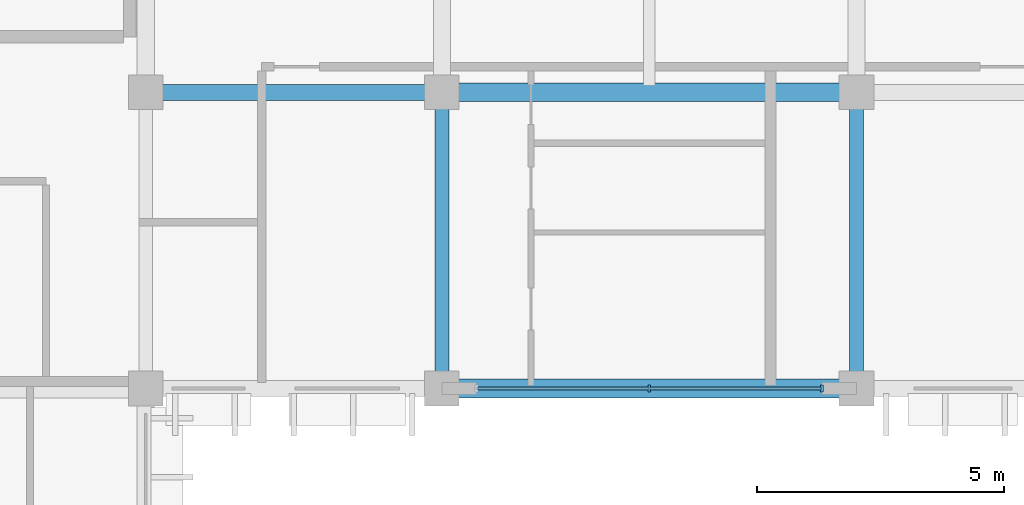
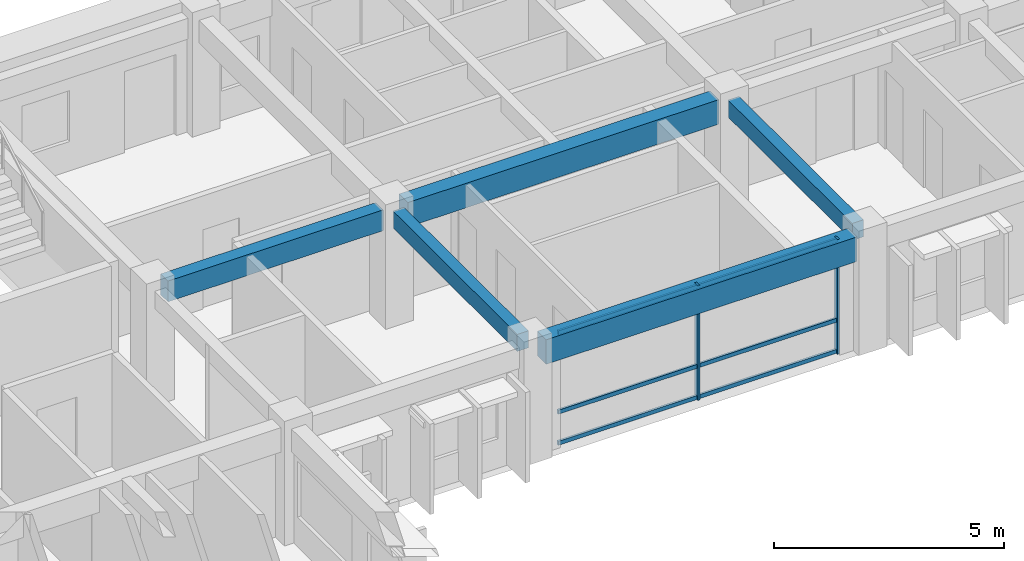
# One storey, part 10 of 79: 5 beams, 5 members, 1 element without a shape of its own.
"""IFC4 building model written with IfcOpenShell, lengths in metres."""

import ifcopenshell
import ifcopenshell.guid

model = None  # the IFC model being written
_history = None  # IfcOwnerHistory: only IFC2X3 demands one
_inside = {}  # id of a spatial element -> (the spatial element, [elements in it])
_under = {}  # id of a project, library or spatial element -> (it, [spatial elements below it])
_declared = {}  # id of a project -> (the project, [libraries it declares])
_typed = {}  # id of a type object -> (the type object, [elements of that type])
_made_of = {}  # id of a material, layer set ... -> (it, [elements and type objects made of it])


def new_model(schema):
    """Start an empty IFC model of exactly this schema.

    Asked for "IFC4X3", IfcOpenShell would pick the latest addendum, in which some entities
    have other attributes; the version numbers below select the first issue.
    IFC2X3 requires an IfcOwnerHistory on every rooted entity: one is made here for all.
    """
    global model, _history
    if schema == "IFC4X3":
        model = ifcopenshell.file(schema_version=(4, 3, 0, 0))
    else:
        model = ifcopenshell.file(schema=schema)
    _inside.clear()
    _under.clear()
    _declared.clear()
    _typed.clear()
    _made_of.clear()
    _history = None
    if model.schema == "IFC2X3":
        org = make("IfcOrganization", Name="unknown")
        user = make(
            "IfcPersonAndOrganization",
            ThePerson=make("IfcPerson", FamilyName="unknown"),
            TheOrganization=org,
        )
        app = make(
            "IfcApplication",
            ApplicationDeveloper=org,
            Version="unknown",
            ApplicationFullName="unknown",
            ApplicationIdentifier="unknown",
        )
        _history = make(
            "IfcOwnerHistory",
            OwningUser=user,
            OwningApplication=app,
            ChangeAction="ADDED",
            CreationDate=0,
        )
    return model


def make(cls, **values):
    """One entity of the class cls with the attributes given. An attribute that is None is left unset."""
    return model.create_entity(
        cls, **{name: value for name, value in values.items() if value is not None}
    )


def rooted(cls, **values):
    """An entity with a GlobalId (a new one), such as an element, a storey or a relation."""
    return make(cls, GlobalId=ifcopenshell.guid.new(), OwnerHistory=_history, **values)


def si_unit(unit_type, name, prefix=None):
    """IfcSIUnit, for example si_unit("LENGTHUNIT", "METRE", prefix="MILLI")."""
    return make("IfcSIUnit", UnitType=unit_type, Prefix=prefix, Name=name)


def assignment(units):
    """IfcUnitAssignment: the units of a project."""
    return None if units is None else make("IfcUnitAssignment", Units=units)


def point(xyz):
    """IfcCartesianPoint."""
    return None if xyz is None else make("IfcCartesianPoint", Coordinates=xyz)


def direction(xyz):
    """IfcDirection."""
    return None if xyz is None else make("IfcDirection", DirectionRatios=xyz)


def frame(location, z_axis=None, x_axis=None):
    """IfcAxis2Placement3D, a coordinate frame: its origin and axes. An axis left out is left unset."""
    return make(
        "IfcAxis2Placement3D",
        Location=point(location),
        Axis=direction(z_axis),
        RefDirection=direction(x_axis),
    )


def frame_2d(location, x_axis=None):
    """IfcAxis2Placement2D, a coordinate frame in the plane: its origin and x axis."""
    return make(
        "IfcAxis2Placement2D", Location=point(location), RefDirection=direction(x_axis)
    )


def origin():
    """The frame at (0, 0, 0) with its axes left unset."""
    return frame((0.0, 0.0, 0.0))


def origin_2d():
    """The frame at (0, 0) in the plane with its x axis left unset."""
    return frame_2d((0.0, 0.0))


def place(relative_to, where):
    """IfcLocalPlacement: puts the frame where relative to a parent placement (None: the world)."""
    return make(
        "IfcLocalPlacement", PlacementRelTo=relative_to, RelativePlacement=where
    )


def context(
    kind, dimensions, precision=None, world=None, true_north=None, identifier=None
):
    """IfcGeometricRepresentationContext, for example the 3D "Model" context."""
    return make(
        "IfcGeometricRepresentationContext",
        ContextIdentifier=identifier,
        ContextType=kind,
        CoordinateSpaceDimension=dimensions,
        Precision=precision,
        WorldCoordinateSystem=world,
        TrueNorth=true_north,
    )


def subcontext(parent, identifier, kind, view, scale=None):
    """IfcGeometricRepresentationSubContext, for example "Body" below "Model"."""
    return make(
        "IfcGeometricRepresentationSubContext",
        ContextIdentifier=identifier,
        ContextType=kind,
        ParentContext=parent,
        TargetScale=scale,
        TargetView=view,
    )


def project(units=None, contexts=None):
    """IfcProject with its units and contexts."""
    return rooted(
        "IfcProject",
        Name="project",
        RepresentationContexts=contexts,
        UnitsInContext=assignment(units),
    )


def spatial(cls, under=None, at=None, **own):
    """A site, building, storey or space (cls), placed at a placement, below another one or the project."""
    s = rooted(cls, ObjectPlacement=at, **own)
    if under is not None:
        _under.setdefault(under.id(), (under, []))[1].append(s)
    return s


def profile(cls, at=None, kind="AREA", **sizes):
    """A parametric profile (cls). Its sizes go by their IFC names, for example OverallWidth=200.0."""
    return make(cls, ProfileType=kind, Position=at, **sizes)


def rectangle(**sizes):
    """IfcRectangleProfileDef."""
    return profile("IfcRectangleProfileDef", **sizes)


def extrude(swept, where, along, depth):
    """IfcExtrudedAreaSolid: the profile swept, set in the frame where, extruded along a direction by depth."""
    return make(
        "IfcExtrudedAreaSolid",
        SweptArea=swept,
        Position=where,
        ExtrudedDirection=direction(along),
        Depth=depth,
    )


def shape(context_of_items, identifier, shape_type, items):
    """IfcShapeRepresentation: the items that make up one representation, for example the "Body"."""
    return make(
        "IfcShapeRepresentation",
        ContextOfItems=context_of_items,
        RepresentationIdentifier=identifier,
        RepresentationType=shape_type,
        Items=items,
    )


def material(Name=None, Category=None):
    """IfcMaterial."""
    return make("IfcMaterial", Name=Name, Category=Category)


def material_profile(
    of_material, cross_section, Name=None, Category=None, Priority=None
):
    """IfcMaterialProfile: a cross section and its material."""
    return make(
        "IfcMaterialProfile",
        Name=Name,
        Material=of_material,
        Profile=cross_section,
        Priority=Priority,
        Category=Category,
    )


def profile_set(profiles, Name=None, composite=None):
    """IfcMaterialProfileSet."""
    return make(
        "IfcMaterialProfileSet",
        Name=Name,
        MaterialProfiles=profiles,
        CompositeProfile=composite,
    )


def made_of(thing, what):
    """Note that an element or type object is made of a material, layer set ...; save() writes the relation."""
    if what is not None:
        _made_of.setdefault(what.id(), (what, []))[1].append(thing)
    return thing


def type_object(cls, material=None, **own):
    """A type object (cls), such as IfcWallType, which elements share."""
    return made_of(rooted(cls, **own), material)


def element(
    cls,
    number,
    at=None,
    inside=None,
    cuts=None,
    type_object=None,
    material=None,
    context=None,
    identifier="Body",
    shape_type=None,
    held_by="IfcProductDefinitionShape",
    body=None,
    shapes=None,
    **own,
):
    """One element of the class cls, such as IfcWall. Its Tag is "e" and its number.

    at: its placement. inside: the storey or other place that contains it. cuts: it is an
    opening in that element (IfcRelVoidsElement). A single representation is given by context,
    identifier, shape_type and body (its items); several are given by shapes. held_by: the class
    of the entity that holds the representations. save() writes the other relations.
    """
    e = rooted(cls, Tag="e%d" % number, ObjectPlacement=at, **own)
    if body is not None:
        shapes = [shape(context, identifier, shape_type, body)]
    if shapes is not None:
        e.Representation = make(held_by, Representations=shapes)
    if inside is not None:
        _inside.setdefault(inside.id(), (inside, []))[1].append(e)
    if cuts is not None:
        rooted(
            "IfcRelVoidsElement", RelatingBuildingElement=cuts, RelatedOpeningElement=e
        )
    if type_object is not None:
        _typed.setdefault(type_object.id(), (type_object, []))[1].append(e)
    return made_of(e, material)


def aggregate(whole, parts):
    """IfcRelAggregates: a whole, such as a stair, and the parts it consists of."""
    return rooted("IfcRelAggregates", RelatingObject=whole, RelatedObjects=parts)


def save(model, path):
    """Write the relations noted so far, then the file.

    IfcRelAggregates (storeys below a building ...), IfcRelContainedInSpatialStructure (elements
    in a storey), IfcRelDefinesByType, IfcRelAssociatesMaterial and IfcRelDeclares: one each for
    every whole, place, type object, material and project.
    """
    for whole, parts in _under.values():
        aggregate(whole, parts)
    for where, things in _inside.values():
        rooted(
            "IfcRelContainedInSpatialStructure",
            RelatedElements=things,
            RelatingStructure=where,
        )
    for kind, things in _typed.values():
        rooted("IfcRelDefinesByType", RelatedObjects=things, RelatingType=kind)
    for what, things in _made_of.values():
        rooted("IfcRelAssociatesMaterial", RelatedObjects=things, RelatingMaterial=what)
    for by, libraries in _declared.values():
        rooted("IfcRelDeclares", RelatingContext=by, RelatedDefinitions=libraries)
    model.write(path)


model = new_model("IFC4")

# Units and contexts
model_context = context("Model", 3, precision=1e-05, world=origin(), true_north=direction((0.0, 1.0)))
body_context = subcontext(model_context, "Body", "Model", "MODEL_VIEW")
ifc_project = project(units=[si_unit("LENGTHUNIT", "METRE"), si_unit("AREAUNIT", "SQUARE_METRE"), si_unit("VOLUMEUNIT", "CUBIC_METRE"), si_unit("PLANEANGLEUNIT", "RADIAN"), si_unit("MASSUNIT", "GRAM", prefix="KILO"), si_unit("THERMODYNAMICTEMPERATUREUNIT", "KELVIN")], contexts=[model_context])

# Site, building, storey
site_placement = place(None, origin())
site = spatial("IfcSite", under=ifc_project, at=site_placement, CompositionType="ELEMENT")
building_placement = place(site_placement, origin())
building = spatial("IfcBuilding", under=site, at=building_placement, Name="Thalorik Housing Commons", CompositionType="ELEMENT")
storey_placement = place(building_placement, frame((0.0, 0.0, 11.39990234375)))
storey = spatial("IfcBuildingStorey", under=building, at=storey_placement, Name="L03", CompositionType="ELEMENT", Elevation=11.39990234375)

# Curtain wall, members
ifc_material_1 = material(Name="Anodised aluminium and solar-control low-E glass", Category="aluminium")
curtain_wall_type = type_object("IfcCurtainWallType", Name="ARC-CW-LOUNGE", PredefinedType="USERDEFINED", material=ifc_material_1)
curtain_wall_placement = place(storey_placement, origin())
curtain_wall = element("IfcCurtainWall", 1, at=curtain_wall_placement, inside=storey, type_object=curtain_wall_type, Name="L03 Curtain Wall CW-RES-L03-A-011", ObjectType="CURTAIN WALL", PredefinedType="USERDEFINED")
ifc_material_2 = material(Name="Anodised aluminium 6063-T6", Category="aluminium")
ifc_material_profile_1 = material_profile(ifc_material_2, rectangle(XDim=0.054931640625, YDim=0.139892578125, at=origin_2d()), Name="ALU MUL 55x140", Category="aluminium")
ifc_profile_set_1 = profile_set([ifc_material_profile_1], Name="Anodised aluminium 6063-T6")
member_type_1 = type_object("IfcMemberType", Name="ARC-CW-MUL-55x140", PredefinedType="MULLION", material=ifc_profile_set_1)
member_1_placement = place(storey_placement, frame((33.0, 109.199951171875, 0.0), z_axis=(0.0, 0.0, 1.0), x_axis=(1.0, 0.0, 0.0)))
member_1 = element("IfcMember", 2, at=member_1_placement, type_object=member_type_1, Name="CW-RES-L03-A-011 Mullion 2", PredefinedType="MULLION", context=body_context, shape_type="SweptSolid", body=[
    extrude(rectangle(XDim=0.054931640625, YDim=0.139892578125, at=origin_2d()), origin(), (0.0, 0.0, 1.0), 3.0400390625),
])
member_2_placement = place(storey_placement, frame((36.5, 109.199951171875, 0.0), z_axis=(0.0, 0.0, 1.0), x_axis=(1.0, 0.0, 0.0)))
member_2 = element("IfcMember", 3, at=member_2_placement, type_object=member_type_1, Name="CW-RES-L03-A-011 Mullion 3", PredefinedType="MULLION", context=body_context, shape_type="SweptSolid", body=[
    extrude(rectangle(XDim=0.054931640625, YDim=0.139892578125, at=origin_2d()), origin(), (0.0, 0.0, 1.0), 3.0400390625),
])
ifc_material_profile_2 = material_profile(ifc_material_2, rectangle(XDim=0.054931640625, YDim=0.10498046875, at=origin_2d()), Name="ALU TRN 55x105", Category="aluminium")
ifc_profile_set_2 = profile_set([ifc_material_profile_2], Name="Anodised aluminium 6063-T6")
member_type_2 = type_object("IfcMemberType", Name="ARC-CW-TRN-55x105", PredefinedType="USERDEFINED", material=ifc_profile_set_2)
member_3_placement = place(storey_placement, frame((29.5, 109.199951171875, 0.05517578125), z_axis=(1.0, 0.0, 0.0), x_axis=(0.0, 1.0, 0.0)))
member_3 = element("IfcMember", 4, at=member_3_placement, type_object=member_type_2, Name="CW-RES-L03-A-011 Transom 1", ObjectType="TRANSOM", PredefinedType="USERDEFINED", context=body_context, shape_type="SweptSolid", body=[
    extrude(rectangle(XDim=0.054931640625, YDim=0.10498046875, at=origin_2d()), origin(), (0.0, 0.0, 1.0), 7.0),
])
member_4_placement = place(storey_placement, frame((29.5, 109.199951171875, 0.880126953125), z_axis=(1.0, 0.0, 0.0), x_axis=(0.0, 1.0, 0.0)))
member_4 = element("IfcMember", 5, at=member_4_placement, type_object=member_type_2, Name="CW-RES-L03-A-011 Transom 2", ObjectType="TRANSOM", PredefinedType="USERDEFINED", context=body_context, shape_type="SweptSolid", body=[
    extrude(rectangle(XDim=0.054931640625, YDim=0.10498046875, at=origin_2d()), origin(), (0.0, 0.0, 1.0), 7.0),
])
member_5_placement = place(storey_placement, frame((29.5, 109.199951171875, 2.985107421875), z_axis=(1.0, 0.0, 0.0), x_axis=(0.0, 1.0, 0.0)))
member_5 = element("IfcMember", 6, at=member_5_placement, type_object=member_type_2, Name="CW-RES-L03-A-011 Transom 3", ObjectType="TRANSOM", PredefinedType="USERDEFINED", context=body_context, shape_type="SweptSolid", body=[
    extrude(rectangle(XDim=0.054931640625, YDim=0.10498046875, at=origin_2d()), origin(), (0.0, 0.0, 1.0), 7.0),
])
aggregate(curtain_wall, [member_1, member_2, member_3, member_4, member_5])

# Beams
ifc_material_3 = material(Name="Precast concrete C40/50", Category="concrete")
ifc_material_profile_3 = material_profile(ifc_material_3, rectangle(XDim=0.280029296875, YDim=0.449951171875, at=origin_2d()), Name="PC 280x450", Category="concrete")
ifc_profile_set_3 = profile_set([ifc_material_profile_3], Name="Precast concrete C40/50")
beam_type_1 = type_object("IfcBeamType", Name="STR-BM-PC280x450", PredefinedType="BEAM", material=ifc_profile_set_3)
for number, where, z_axis, x_axis, name in (
    (7, (28.800048828125, 109.5, 2.815185546875), (0.0, 1.0, 0.0), (-1.0, 0.0, 0.0), "L03 Beam B-450"),
    (8, (37.199951171875, 109.5, 2.815185546875), (0.0, 1.0, 0.0), (-1.0, 0.0, 0.0), "L03 Beam B-450"),
):
    element("IfcBeam", number, at=place(storey_placement, frame(where, z_axis=z_axis, x_axis=x_axis)), inside=storey, type_object=beam_type_1, Name=name, PredefinedType="BEAM", context=body_context, shape_type="SweptSolid", body=[
        extrude(rectangle(XDim=0.280029296875, YDim=0.449951171875, at=origin_2d()), origin(), (0.0, 0.0, 1.0), 5.39990234375),
    ])
ifc_material_profile_4 = material_profile(ifc_material_3, rectangle(XDim=0.320068359375, YDim=0.550048828125, at=origin_2d()), Name="PC 320x550", Category="concrete")
ifc_profile_set_4 = profile_set([ifc_material_profile_4], Name="Precast concrete C40/50")
beam_type_2 = type_object("IfcBeamType", Name="STR-BM-PC320x550", PredefinedType="BEAM", material=ifc_profile_set_4)
beam_placement = place(storey_placement, frame((23.10009765625, 115.199951171875, 2.76513671875), z_axis=(1.0, 0.0, 0.0), x_axis=(0.0, 1.0, 0.0)))
element("IfcBeam", 9, at=beam_placement, inside=storey, type_object=beam_type_2, Name="L03 Beam B-550", PredefinedType="BEAM", context=body_context, shape_type="SweptSolid", body=[
    extrude(rectangle(XDim=0.320068359375, YDim=0.550048828125, at=origin_2d()), origin(), (0.0, 0.0, 1.0), 5.39990234375),
])
ifc_material_profile_5 = material_profile(ifc_material_3, rectangle(XDim=0.3798828125, YDim=0.64990234375, at=origin_2d()), Name="PC 380x650", Category="concrete")
ifc_profile_set_5 = profile_set([ifc_material_profile_5], Name="Precast concrete C40/50")
beam_type_3 = type_object("IfcBeamType", Name="STR-BM-PC380x650", PredefinedType="BEAM", material=ifc_profile_set_5)
for number, where, z_axis, x_axis, name in (
    (10, (29.10009765625, 109.199951171875, 2.715087890625), (1.0, 0.0, 0.0), (0.0, 1.0, 0.0), "L03 Beam B-650"),
    (11, (29.10009765625, 115.199951171875, 2.715087890625), (1.0, 0.0, 0.0), (0.0, 1.0, 0.0), "L03 Beam B-650"),
):
    element("IfcBeam", number, at=place(storey_placement, frame(where, z_axis=z_axis, x_axis=x_axis)), inside=storey, type_object=beam_type_3, Name=name, PredefinedType="BEAM", context=body_context, shape_type="SweptSolid", body=[
        extrude(rectangle(XDim=0.3798828125, YDim=0.64990234375, at=origin_2d()), origin(), (0.0, 0.0, 1.0), 7.7998046875),
    ])

save(model, "model.ifc")
